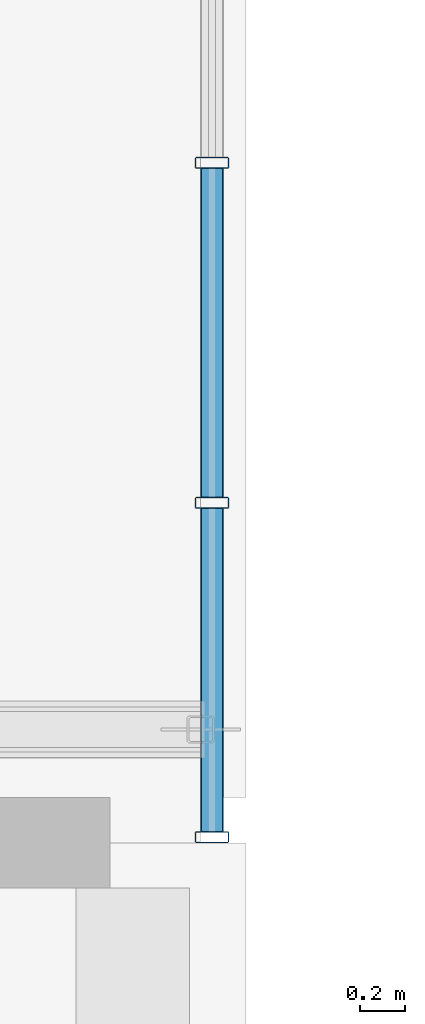
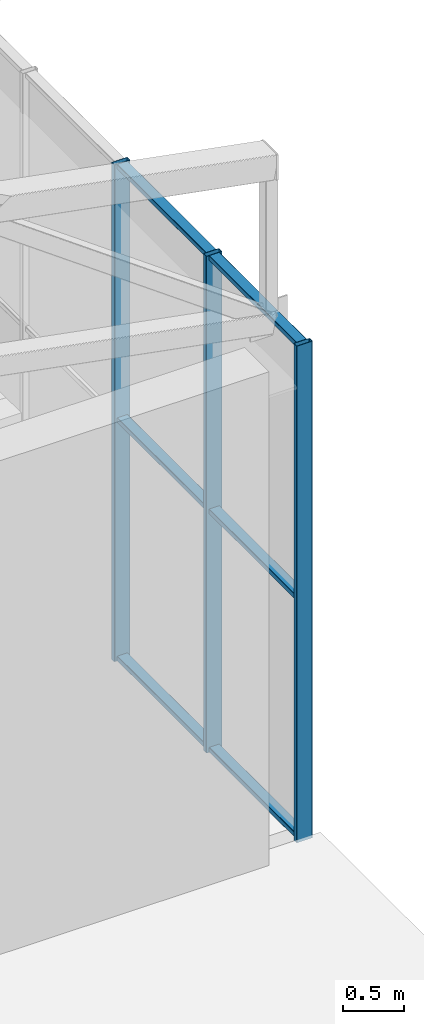
# One storey, part 11 of 125: 9 members, 1 element without a shape of its own.
"""IFC4 building model written with IfcOpenShell, lengths in metres."""

from ifc_helpers import new_model, si_unit, direction, frame, origin, origin_2d, place, context, subcontext, project, spatial, hollow_rectangle, extrude, material, material_profile, profile_set, type_object, element, aggregate, save


model = new_model("IFC4")

# Units and contexts
model_context = context("Model", 3, precision=1e-05, world=origin(), true_north=direction((0.0, 1.0)))
body_context = subcontext(model_context, "Body", "Model", "MODEL_VIEW")
ifc_project = project(units=[si_unit("LENGTHUNIT", "METRE"), si_unit("AREAUNIT", "SQUARE_METRE"), si_unit("VOLUMEUNIT", "CUBIC_METRE"), si_unit("PLANEANGLEUNIT", "RADIAN"), si_unit("MASSUNIT", "GRAM", prefix="KILO")], contexts=[model_context])

# Site, building, storey
site_placement = place(None, origin())
site = spatial("IfcSite", under=ifc_project, at=site_placement, CompositionType="ELEMENT")
building_placement = place(site_placement, origin())
building = spatial("IfcBuilding", under=site, at=building_placement, Name="Sun Court Science Centre", CompositionType="ELEMENT")
storey_placement = place(building_placement, frame((0.0, 0.0, 6.0)))
storey = spatial("IfcBuildingStorey", under=building, at=storey_placement, Name="L01", CompositionType="ELEMENT", Elevation=6.0)

# Curtain wall, members
ifc_material_1 = material(Name="Aluminium EN AW-6063 T6", Category="aluminium")
curtain_wall_type = type_object("IfcCurtainWallType", Name="Foyer curtain wall 1500", PredefinedType="NOTDEFINED", material=ifc_material_1)
curtain_wall_placement = place(storey_placement, origin())
curtain_wall = element("IfcCurtainWall", 1, at=curtain_wall_placement, inside=storey, type_object=curtain_wall_type, Name="Curtain wall V3 E L01 01", PredefinedType="NOTDEFINED")
ifc_material_2 = material(Name="Aluminium EN AW-6063 T6", Category="aluminium")
ifc_material_profile_1 = material_profile(ifc_material_2, hollow_rectangle(XDim=0.050048828125, YDim=0.14990234375, WallThickness=0.00390625, InnerFilletRadius=0.00390625, OuterFilletRadius=0.006103515625, at=origin_2d()), Name="AL 50x150x4")
ifc_profile_set_1 = profile_set([ifc_material_profile_1], Name="Aluminium EN AW-6063 T6")
member_type_1 = type_object("IfcMemberType", Name="Curtain wall mullion AL 50x150", PredefinedType="MULLION", material=ifc_profile_set_1)
member_1_placement = place(storey_placement, frame((23.85009765625, 48.02490234375, 0.0), z_axis=(0.0, 0.0, 1.0), x_axis=(0.0, -1.0, 0.0)))
member_1 = element("IfcMember", 2, at=member_1_placement, type_object=member_type_1, Name="CW1-02 mullion 5", PredefinedType="MULLION", context=body_context, shape_type="SweptSolid", body=[
    extrude(hollow_rectangle(XDim=0.050048828125, YDim=0.14990234375, WallThickness=0.00390625, InnerFilletRadius=0.00390625, OuterFilletRadius=0.006103515625, at=origin_2d()), origin(), (0.0, 0.0, 1.0), 4.949951171875),
])
member_2_placement = place(storey_placement, frame((23.85009765625, 49.5, 0.0), z_axis=(0.0, 0.0, 1.0), x_axis=(0.0, -1.0, 0.0)))
member_2 = element("IfcMember", 3, at=member_2_placement, type_object=member_type_1, Name="CW1-02 mullion 4", PredefinedType="MULLION", context=body_context, shape_type="SweptSolid", body=[
    extrude(hollow_rectangle(XDim=0.050048828125, YDim=0.14990234375, WallThickness=0.00390625, InnerFilletRadius=0.00390625, OuterFilletRadius=0.006103515625, at=origin_2d()), origin(), (0.0, 0.0, 1.0), 4.949951171875),
])
member_3_placement = place(storey_placement, frame((23.85009765625, 51.0, 0.0), z_axis=(0.0, 0.0, 1.0), x_axis=(0.0, -1.0, 0.0)))
member_3 = element("IfcMember", 4, at=member_3_placement, type_object=member_type_1, Name="CW1-02 mullion 3", PredefinedType="MULLION", context=body_context, shape_type="SweptSolid", body=[
    extrude(hollow_rectangle(XDim=0.050048828125, YDim=0.14990234375, WallThickness=0.00390625, InnerFilletRadius=0.00390625, OuterFilletRadius=0.006103515625, at=origin_2d()), origin(), (0.0, 0.0, 1.0), 4.949951171875),
])
ifc_material_3 = material(Name="Aluminium EN AW-6063 T6", Category="aluminium")
ifc_material_profile_2 = material_profile(ifc_material_3, hollow_rectangle(XDim=0.050048828125, YDim=0.10009765625, WallThickness=0.00390625, InnerFilletRadius=0.00390625, OuterFilletRadius=0.006103515625, at=origin_2d()), Name="AL 50x100x4")
ifc_profile_set_2 = profile_set([ifc_material_profile_2], Name="Aluminium EN AW-6063 T6")
member_type_2 = type_object("IfcMemberType", Name="Curtain wall transom AL 50x100", PredefinedType="USERDEFINED", material=ifc_profile_set_2)
member_4_placement = place(storey_placement, frame((23.85009765625, 49.47509765625, 0.02490234375), z_axis=(0.0, -1.0, 0.0), x_axis=(0.0, 0.0, 1.0)))
member_4 = element("IfcMember", 5, at=member_4_placement, type_object=member_type_2, Name="CW1-02 transom 4.1", ObjectType="TRANSOM", PredefinedType="USERDEFINED", context=body_context, shape_type="SweptSolid", body=[
    extrude(hollow_rectangle(XDim=0.050048828125, YDim=0.10009765625, WallThickness=0.00390625, InnerFilletRadius=0.00390625, OuterFilletRadius=0.006103515625, at=origin_2d()), origin(), (0.0, 0.0, 1.0), 1.425048828125),
])
member_5_placement = place(storey_placement, frame((23.85009765625, 50.97509765625, 0.02490234375), z_axis=(0.0, -1.0, 0.0), x_axis=(0.0, 0.0, 1.0)))
member_5 = element("IfcMember", 6, at=member_5_placement, type_object=member_type_2, Name="CW1-02 transom 3.1", ObjectType="TRANSOM", PredefinedType="USERDEFINED", context=body_context, shape_type="SweptSolid", body=[
    extrude(hollow_rectangle(XDim=0.050048828125, YDim=0.10009765625, WallThickness=0.00390625, InnerFilletRadius=0.00390625, OuterFilletRadius=0.006103515625, at=origin_2d()), origin(), (0.0, 0.0, 1.0), 1.4501953125),
])
member_6_placement = place(storey_placement, frame((23.85009765625, 49.47509765625, 2.39990234375), z_axis=(0.0, -1.0, 0.0), x_axis=(0.0, 0.0, 1.0)))
member_6 = element("IfcMember", 7, at=member_6_placement, type_object=member_type_2, Name="CW1-02 transom 4.2", ObjectType="TRANSOM", PredefinedType="USERDEFINED", context=body_context, shape_type="SweptSolid", body=[
    extrude(hollow_rectangle(XDim=0.050048828125, YDim=0.10009765625, WallThickness=0.00390625, InnerFilletRadius=0.00390625, OuterFilletRadius=0.006103515625, at=origin_2d()), origin(), (0.0, 0.0, 1.0), 1.425048828125),
])
member_7_placement = place(storey_placement, frame((23.85009765625, 50.97509765625, 2.39990234375), z_axis=(0.0, -1.0, 0.0), x_axis=(0.0, 0.0, 1.0)))
member_7 = element("IfcMember", 8, at=member_7_placement, type_object=member_type_2, Name="CW1-02 transom 3.2", ObjectType="TRANSOM", PredefinedType="USERDEFINED", context=body_context, shape_type="SweptSolid", body=[
    extrude(hollow_rectangle(XDim=0.050048828125, YDim=0.10009765625, WallThickness=0.00390625, InnerFilletRadius=0.00390625, OuterFilletRadius=0.006103515625, at=origin_2d()), origin(), (0.0, 0.0, 1.0), 1.4501953125),
])
member_8_placement = place(storey_placement, frame((23.85009765625, 49.47509765625, 4.925048828125), z_axis=(0.0, -1.0, 0.0), x_axis=(0.0, 0.0, 1.0)))
member_8 = element("IfcMember", 9, at=member_8_placement, type_object=member_type_2, Name="CW1-02 transom 4.3", ObjectType="TRANSOM", PredefinedType="USERDEFINED", context=body_context, shape_type="SweptSolid", body=[
    extrude(hollow_rectangle(XDim=0.050048828125, YDim=0.10009765625, WallThickness=0.00390625, InnerFilletRadius=0.00390625, OuterFilletRadius=0.006103515625, at=origin_2d()), origin(), (0.0, 0.0, 1.0), 1.425048828125),
])
member_9_placement = place(storey_placement, frame((23.85009765625, 50.97509765625, 4.925048828125), z_axis=(0.0, -1.0, 0.0), x_axis=(0.0, 0.0, 1.0)))
member_9 = element("IfcMember", 10, at=member_9_placement, type_object=member_type_2, Name="CW1-02 transom 3.3", ObjectType="TRANSOM", PredefinedType="USERDEFINED", context=body_context, shape_type="SweptSolid", body=[
    extrude(hollow_rectangle(XDim=0.050048828125, YDim=0.10009765625, WallThickness=0.00390625, InnerFilletRadius=0.00390625, OuterFilletRadius=0.006103515625, at=origin_2d()), origin(), (0.0, 0.0, 1.0), 1.4501953125),
])
aggregate(curtain_wall, [member_1, member_2, member_3, member_4, member_5, member_6, member_7, member_8, member_9])

save(model, "model.ifc")
